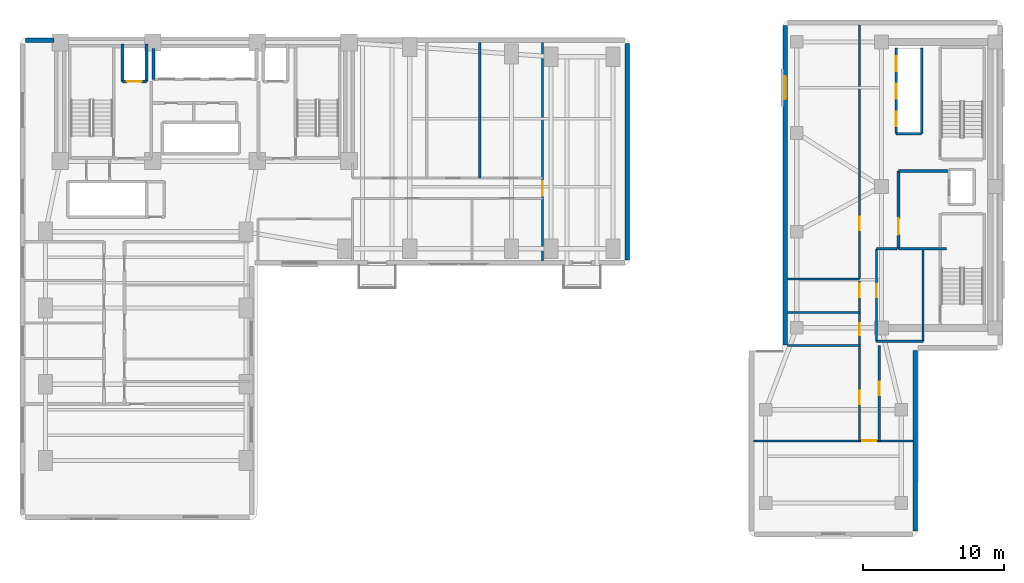
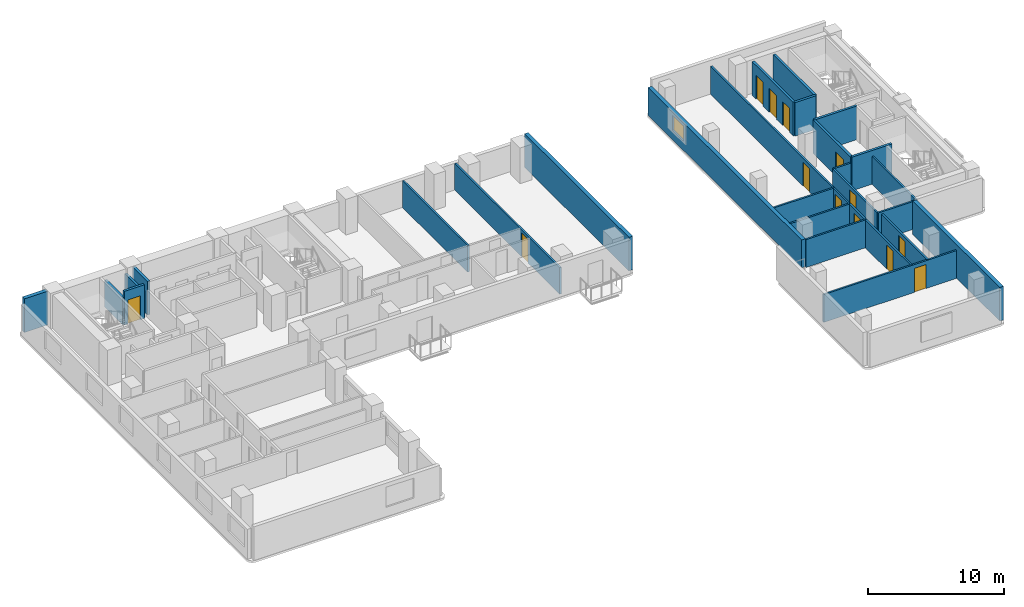
# One storey, part 10 of 14: 27 walls, 13 doors, 1 window, 14 openings.
"""IFC4 building model written with IfcOpenShell, lengths in metres."""

from ifc_helpers import new_model, si_unit, direction, frame, frame_2d, origin, place, context, subcontext, project, spatial, rectangle, extrude, material, layer, layer_set, type_object, element, fill, save


model = new_model("IFC4")

# Units and contexts
model_context = context("Model", 3, precision=1e-05, world=origin(), true_north=direction((0.0, 1.0)))
body_context = subcontext(model_context, "Body", "Model", "MODEL_VIEW")
ifc_project = project(units=[si_unit("LENGTHUNIT", "METRE"), si_unit("AREAUNIT", "SQUARE_METRE"), si_unit("VOLUMEUNIT", "CUBIC_METRE"), si_unit("PLANEANGLEUNIT", "RADIAN"), si_unit("MASSUNIT", "GRAM", prefix="KILO")], contexts=[model_context])

# Site, building, storey
site_placement = place(None, origin())
site = spatial("IfcSite", under=ifc_project, at=site_placement, CompositionType="ELEMENT")
building_placement = place(site_placement, origin())
building = spatial("IfcBuilding", under=site, at=building_placement, Name="Kuzgunbayir Cultural Tower", CompositionType="ELEMENT")
storey_placement = place(building_placement, frame((0.0, 0.0, 62.800048828125)))
storey = spatial("IfcBuildingStorey", under=building, at=storey_placement, Name="L17", CompositionType="ELEMENT", Elevation=62.800048828125)

# Walls
ifc_material_1 = material(Name="Travertine Buff Ashlar", Category="masonry")
ifc_layer_1 = layer(ifc_material_1, 0.320068359375)
ifc_layer_set_1 = layer_set([ifc_layer_1], Name="Travertine Buff Ashlar")
wall_type_1 = type_object("IfcWallType", Name="WAL-EXT-STONE-320", PredefinedType="STANDARD", material=ifc_layer_set_1)
wall_1_placement = place(storey_placement, frame((6.0, 42.35009765625, 0.0), z_axis=(0.0, 0.0, 1.0), x_axis=(-1.0, 0.0, 0.0)))
element("IfcWall", 1, at=wall_1_placement, inside=storey, type_object=wall_type_1, Name="L17 Core North-West Spandrel Link", PredefinedType="STANDARD", context=body_context, shape_type="SweptSolid", body=[
    extrude(rectangle(XDim=2.0, YDim=0.320068359375, at=frame_2d((1.0, 0.0))), origin(), (0.0, 0.0, 1.0), 3.02001953125),
])
wall_2_placement = place(storey_placement, frame((46.60009765625, 26.800048828125, 0.0), z_axis=(0.0, 0.0, 1.0), x_axis=(0.0, 1.0, 0.0)))
element("IfcWall", 2, at=wall_2_placement, inside=storey, type_object=wall_type_1, Name="L17 Wing B East Limestone Wall", PredefinedType="STANDARD", context=body_context, shape_type="SweptSolid", body=[
    extrude(rectangle(XDim=15.349853515625, YDim=0.320068359375, at=frame_2d((7.6748046875, 0.0))), origin(), (0.0, 0.0, 1.0), 3.02001953125),
])

# Wall, opening, window
wall_3_placement = place(storey_placement, frame((57.800048828125, 43.39990234375, 0.0), z_axis=(0.0, 0.0, 1.0), x_axis=(0.0, -1.0, 0.0)))
wall_3 = element("IfcWall", 3, at=wall_3_placement, inside=storey, type_object=wall_type_1, Name="L17 Companion West Limestone Wall", PredefinedType="STANDARD", context=body_context, shape_type="SweptSolid", body=[
    extrude(rectangle(XDim=22.599853515625, YDim=0.320068359375, at=frame_2d((11.2998046875, 0.0))), origin(), (0.0, 0.0, 1.0), 2.5),
])
opening_1_placement = place(wall_3_placement, frame((3.60009765625, 0.0, 0.85009765625)))
opening_1 = element("IfcOpeningElement", 4, at=opening_1_placement, cuts=wall_3, Name="Opening WC-16", PredefinedType="OPENING", context=body_context, shape_type="SweptSolid", body=[
    extrude(rectangle(XDim=1.60009765625, YDim=1.35009765625, at=frame_2d((0.800048828125, 0.675048828125))), frame((0.0, 0.169921875, 0.0), z_axis=(0.0, -1.0, 0.0), x_axis=(1.0, 0.0, 0.0)), (0.0, 0.0, 1.0), 0.340087890625),
])
ifc_material_2 = material(Name="Solar-Control Triple Glazing", Category="glass")
window_type = type_object("IfcWindowType", Name="WIN-COMP-16", PartitioningType="SINGLE_PANEL", PredefinedType="WINDOW", material=ifc_material_2)
window_placement = place(opening_1_placement, origin())
window = element("IfcWindow", 5, at=window_placement, inside=storey, type_object=window_type, Name="L17 Companion West Window 39", OverallHeight=1.35009765625, OverallWidth=1.60009765625, PartitioningType="SINGLE_PANEL", PredefinedType="WINDOW", context=body_context, shape_type="SweptSolid", body=[
    extrude(rectangle(XDim=1.60009765625, YDim=1.35009765625, at=frame_2d((0.800048828125, 0.675048828125))), frame((0.0, 0.030029296875, 0.0), z_axis=(0.0, -1.0, 0.0), x_axis=(1.0, 0.0, 0.0)), (0.0, 0.0, 1.0), 0.06005859375),
])
fill(opening_1, window)

# Wall
wall_4_placement = place(storey_placement, frame((67.0, 7.60009765625, 0.0), z_axis=(0.0, 0.0, 1.0), x_axis=(0.0, 1.0, 0.0)))
element("IfcWall", 6, at=wall_4_placement, inside=storey, type_object=wall_type_1, Name="L17 Companion Wing B East Wall", PredefinedType="STANDARD", context=body_context, shape_type="SweptSolid", body=[
    extrude(rectangle(XDim=12.7998046875, YDim=0.320068359375, at=frame_2d((6.39990234375, 0.0))), origin(), (0.0, 0.0, 1.0), 3.02001953125),
])

# Wall, opening, door
ifc_material_3 = material(Name="Acoustic Double-Stud Drywall", Category="gypsum")
ifc_layer_2 = layer(ifc_material_3, 0.14990234375)
ifc_layer_set_2 = layer_set([ifc_layer_2], Name="Acoustic Double-Stud Drywall")
wall_type_2 = type_object("IfcWallType", Name="WAL-PART-ACOUSTIC-150", PredefinedType="PARTITIONING", material=ifc_layer_set_2)
wall_5_placement = place(storey_placement, frame((40.60009765625, 26.75, 0.0), z_axis=(0.0, 0.0, 1.0), x_axis=(0.0, 1.0, 0.0)))
wall_5 = element("IfcWall", 7, at=wall_5_placement, inside=storey, type_object=wall_type_2, Name="L17 Wing B East Suite Wall", PredefinedType="PARTITIONING", context=body_context, shape_type="SweptSolid", body=[
    extrude(rectangle(XDim=15.449951171875, YDim=0.14990234375, at=frame_2d((7.72509765625, 0.0))), origin(), (0.0, 0.0, 1.0), 2.39990234375),
])
opening_2_placement = place(wall_5_placement, frame((4.6201171875, 0.0, 0.0)))
opening_2 = element("IfcOpeningElement", 8, at=opening_2_placement, cuts=wall_5, Name="Opening DI-100", PredefinedType="OPENING", context=body_context, shape_type="SweptSolid", body=[
    extrude(rectangle(XDim=1.0, YDim=2.14990234375, at=frame_2d((0.5, 1.074951171875))), frame((0.0, 0.0849609375, 0.0), z_axis=(0.0, -1.0, 0.0), x_axis=(1.0, 0.0, 0.0)), (0.0, 0.0, 1.0), 0.169921875),
])
ifc_material_4 = material(Name="Veneered Oak Single Leaf", Category="wood")
door_type_1 = type_object("IfcDoorType", Name="DR-INT-100", OperationType="NOTDEFINED", PredefinedType="DOOR", material=ifc_material_4)
door_1_placement = place(opening_2_placement, origin())
door_1 = element("IfcDoor", 9, at=door_1_placement, inside=storey, type_object=door_type_1, Name="L17 East Conference Hall Door", OperationType="SINGLE_SWING_RIGHT", OverallHeight=2.14990234375, OverallWidth=1.0, PredefinedType="DOOR", context=body_context, shape_type="SweptSolid", body=[
    extrude(rectangle(XDim=1.0, YDim=2.14990234375, at=frame_2d((0.5, 1.074951171875))), frame((0.0, 0.02490234375, 0.0), z_axis=(0.0, -1.0, 0.0), x_axis=(1.0, 0.0, 0.0)), (0.0, 0.0, 1.0), 0.050048828125),
])
fill(opening_2, door_1)

# Wall
wall_6_placement = place(storey_placement, frame((36.159912109375, 32.60009765625, 0.0), z_axis=(0.0, 0.0, 1.0), x_axis=(0.0, 1.0, 0.0)))
element("IfcWall", 10, at=wall_6_placement, inside=storey, type_object=wall_type_2, Name="L17 Wing B North Partition 2", PredefinedType="PARTITIONING", context=body_context, shape_type="SweptSolid", body=[
    extrude(rectangle(XDim=9.599853515625, YDim=0.14990234375, at=frame_2d((4.7998046875, 0.0))), origin(), (0.0, 0.0, 1.0), 2.39990234375),
])

# Wall, opening, door
wall_7_placement = place(storey_placement, frame((64.25, 21.050048828125, 0.0), z_axis=(0.0, 0.0, 1.0), x_axis=(0.0, 1.0, 0.0)))
wall_7 = element("IfcWall", 11, at=wall_7_placement, inside=storey, type_object=wall_type_2, Name="L17 Companion Archive West Wall", PredefinedType="PARTITIONING", context=body_context, shape_type="SweptSolid", body=[
    extrude(rectangle(XDim=6.550048828125, YDim=0.14990234375, at=frame_2d((3.27490234375, 0.0))), origin(), (0.0, 0.0, 1.0), 2.5),
])
opening_3_placement = place(wall_7_placement, frame((3.10009765625, 0.0, 0.0)))
opening_3 = element("IfcOpeningElement", 12, at=opening_3_placement, cuts=wall_7, Name="Opening DI-90", PredefinedType="OPENING", context=body_context, shape_type="SweptSolid", body=[
    extrude(rectangle(XDim=0.949951171875, YDim=2.14990234375, at=frame_2d((0.47509765625, 1.074951171875))), frame((0.0, 0.0849609375, 0.0), z_axis=(0.0, -1.0, 0.0), x_axis=(1.0, 0.0, 0.0)), (0.0, 0.0, 1.0), 0.169921875),
])
door_type_2 = type_object("IfcDoorType", Name="DR-INT-90", OperationType="NOTDEFINED", PredefinedType="DOOR", material=ifc_material_4)
door_2_placement = place(opening_3_placement, origin())
door_2 = element("IfcDoor", 13, at=door_2_placement, inside=storey, type_object=door_type_2, Name="L17 Companion Archive Door", OperationType="SINGLE_SWING_RIGHT", OverallHeight=2.14990234375, OverallWidth=0.949951171875, PredefinedType="DOOR", context=body_context, shape_type="SweptSolid", body=[
    extrude(rectangle(XDim=0.949951171875, YDim=2.14990234375, at=frame_2d((0.47509765625, 1.074951171875))), frame((0.0, 0.02490234375, 0.0), z_axis=(0.0, -1.0, 0.0), x_axis=(1.0, 0.0, 0.0)), (0.0, 0.0, 1.0), 0.050048828125),
])
fill(opening_3, door_2)

# Walls
wall_8_placement = place(storey_placement, frame((67.550048828125, 21.050048828125, 0.0), z_axis=(0.0, 0.0, 1.0), x_axis=(0.0, 1.0, 0.0)))
element("IfcWall", 14, at=wall_8_placement, inside=storey, type_object=wall_type_2, Name="L17 Companion Archive East Wall", PredefinedType="PARTITIONING", context=body_context, shape_type="SweptSolid", body=[
    extrude(rectangle(XDim=6.469970703125, YDim=0.14990234375, at=frame_2d((3.23486328125, 0.0))), origin(), (0.0, 0.0, 1.0), 2.5),
])
wall_9_placement = place(storey_placement, frame((64.25, 21.050048828125, 0.0), z_axis=(0.0, 0.0, 1.0), x_axis=(1.0, 0.0, 0.0)))
element("IfcWall", 15, at=wall_9_placement, inside=storey, type_object=wall_type_2, Name="L17 Companion Archive South Wall", PredefinedType="PARTITIONING", context=body_context, shape_type="SweptSolid", body=[
    extrude(rectangle(XDim=3.300048828125, YDim=0.14990234375, at=frame_2d((1.64990234375, 0.0))), origin(), (0.0, 0.0, 1.0), 2.5),
])
wall_10_placement = place(storey_placement, frame((64.25, 27.60009765625, 0.0), z_axis=(0.0, 0.0, 1.0), x_axis=(1.0, 0.0, 0.0)))
element("IfcWall", 16, at=wall_10_placement, inside=storey, type_object=wall_type_2, Name="L17 Companion Archive North Wall", PredefinedType="PARTITIONING", context=body_context, shape_type="SweptSolid", body=[
    extrude(rectangle(XDim=1.469970703125, YDim=0.14990234375, at=frame_2d((0.73486328125, 0.0))), origin(), (0.0, 0.0, 1.0), 2.5),
])

# Wall, openings, doors
wall_11_placement = place(storey_placement, frame((63.050048828125, 20.75, 0.0), z_axis=(0.0, 0.0, 1.0), x_axis=(0.0, 1.0, 0.0)))
wall_11 = element("IfcWall", 17, at=wall_11_placement, inside=storey, type_object=wall_type_2, Name="L17 Companion Corridor West Wall", PredefinedType="PARTITIONING", context=body_context, shape_type="SweptSolid", body=[
    extrude(rectangle(XDim=22.699951171875, YDim=0.14990234375, at=frame_2d((11.35009765625, 0.0))), origin(), (0.0, 0.0, 1.0), 2.5),
])
opening_4_placement = place(wall_11_placement, frame((0.72998046875, 0.0, 0.0)))
opening_4 = element("IfcOpeningElement", 18, at=opening_4_placement, cuts=wall_11, Name="Opening DW-85", PredefinedType="OPENING", context=body_context, shape_type="SweptSolid", body=[
    extrude(rectangle(XDim=0.85009765625, YDim=2.10009765625, at=frame_2d((0.425048828125, 1.050048828125))), frame((0.0, 0.0849609375, 0.0), z_axis=(0.0, -1.0, 0.0), x_axis=(1.0, 0.0, 0.0)), (0.0, 0.0, 1.0), 0.169921875),
])
opening_5_placement = place(wall_11_placement, frame((3.429931640625, 0.0, 0.0)))
opening_5 = element("IfcOpeningElement", 19, at=opening_5_placement, cuts=wall_11, Name="Opening DW-95", PredefinedType="OPENING", context=body_context, shape_type="SweptSolid", body=[
    extrude(rectangle(XDim=0.949951171875, YDim=2.10009765625, at=frame_2d((0.47509765625, 1.050048828125))), frame((0.0, 0.0849609375, 0.0), z_axis=(0.0, -1.0, 0.0), x_axis=(1.0, 0.0, 0.0)), (0.0, 0.0, 1.0), 0.169921875),
])
opening_6_placement = place(wall_11_placement, frame((8.14990234375, 0.0, 0.0)))
opening_6 = element("IfcOpeningElement", 20, at=opening_6_placement, cuts=wall_11, Name="Opening DI-90", PredefinedType="OPENING", context=body_context, shape_type="SweptSolid", body=[
    extrude(rectangle(XDim=0.949951171875, YDim=2.14990234375, at=frame_2d((0.47509765625, 1.074951171875))), frame((0.0, 0.0849609375, 0.0), z_axis=(0.0, -1.0, 0.0), x_axis=(1.0, 0.0, 0.0)), (0.0, 0.0, 1.0), 0.169921875),
])
door_3_placement = place(opening_6_placement, origin())
door_3 = element("IfcDoor", 21, at=door_3_placement, inside=storey, type_object=door_type_2, Name="L17 Companion Fellows Reading Lounge 1 Door", OperationType="SINGLE_SWING_LEFT", OverallHeight=2.14990234375, OverallWidth=0.949951171875, PredefinedType="DOOR", context=body_context, shape_type="SweptSolid", body=[
    extrude(rectangle(XDim=0.949951171875, YDim=2.14990234375, at=frame_2d((0.47509765625, 1.074951171875))), frame((0.0, 0.02490234375, 0.0), z_axis=(0.0, -1.0, 0.0), x_axis=(1.0, 0.0, 0.0)), (0.0, 0.0, 1.0), 0.050048828125),
])
fill(opening_6, door_3)
ifc_material_5 = material(Name="Laminate Moisture-Resistant Leaf", Category="wood")
door_type_3 = type_object("IfcDoorType", Name="DR-WET-85", OperationType="NOTDEFINED", PredefinedType="DOOR", material=ifc_material_5)
door_4_placement = place(opening_4_placement, origin())
door_4 = element("IfcDoor", 22, at=door_4_placement, inside=storey, type_object=door_type_3, Name="L17 Companion WC Door", OperationType="SINGLE_SWING_LEFT", OverallHeight=2.10009765625, OverallWidth=0.85009765625, PredefinedType="DOOR", context=body_context, shape_type="SweptSolid", body=[
    extrude(rectangle(XDim=0.85009765625, YDim=2.10009765625, at=frame_2d((0.425048828125, 1.050048828125))), frame((0.0, 0.02490234375, 0.0), z_axis=(0.0, -1.0, 0.0), x_axis=(1.0, 0.0, 0.0)), (0.0, 0.0, 1.0), 0.050048828125),
])
fill(opening_4, door_4)
door_type_4 = type_object("IfcDoorType", Name="DR-WET-95", OperationType="NOTDEFINED", PredefinedType="DOOR", material=ifc_material_5)
door_5_placement = place(opening_5_placement, origin())
door_5 = element("IfcDoor", 23, at=door_5_placement, inside=storey, type_object=door_type_4, Name="L17 Companion Accessible WC Door", OperationType="SINGLE_SWING_RIGHT", OverallHeight=2.10009765625, OverallWidth=0.949951171875, PredefinedType="DOOR", context=body_context, shape_type="SweptSolid", body=[
    extrude(rectangle(XDim=0.949951171875, YDim=2.10009765625, at=frame_2d((0.47509765625, 1.050048828125))), frame((0.0, 0.02490234375, 0.0), z_axis=(0.0, -1.0, 0.0), x_axis=(1.0, 0.0, 0.0)), (0.0, 0.0, 1.0), 0.050048828125),
])
fill(opening_5, door_5)

# Wall, opening, door
wall_12_placement = place(storey_placement, frame((63.050048828125, 14.0, 0.0), z_axis=(0.0, 0.0, 1.0), x_axis=(0.0, 1.0, 0.0)))
wall_12 = element("IfcWall", 24, at=wall_12_placement, inside=storey, type_object=wall_type_2, Name="L17 Companion South Corridor West Wall", PredefinedType="PARTITIONING", context=body_context, shape_type="SweptSolid", body=[
    extrude(rectangle(XDim=6.75, YDim=0.14990234375, at=frame_2d((3.375, 0.0))), origin(), (0.0, 0.0, 1.0), 2.5),
])
opening_7_placement = place(wall_12_placement, frame((2.60009765625, 0.0, 0.0)))
opening_7 = element("IfcOpeningElement", 25, at=opening_7_placement, cuts=wall_12, Name="Opening DI-90", PredefinedType="OPENING", context=body_context, shape_type="SweptSolid", body=[
    extrude(rectangle(XDim=0.949951171875, YDim=2.14990234375, at=frame_2d((0.47509765625, 1.074951171875))), frame((0.0, 0.0849609375, 0.0), z_axis=(0.0, -1.0, 0.0), x_axis=(1.0, 0.0, 0.0)), (0.0, 0.0, 1.0), 0.169921875),
])
door_6_placement = place(opening_7_placement, origin())
door_6 = element("IfcDoor", 26, at=door_6_placement, inside=storey, type_object=door_type_2, Name="L17 Companion West Atelier Door", OperationType="SINGLE_SWING_RIGHT", OverallHeight=2.14990234375, OverallWidth=0.949951171875, PredefinedType="DOOR", context=body_context, shape_type="SweptSolid", body=[
    extrude(rectangle(XDim=0.949951171875, YDim=2.14990234375, at=frame_2d((0.47509765625, 1.074951171875))), frame((0.0, 0.02490234375, 0.0), z_axis=(0.0, -1.0, 0.0), x_axis=(1.0, 0.0, 0.0)), (0.0, 0.0, 1.0), 0.050048828125),
])
fill(opening_7, door_6)

wall_13_placement = place(storey_placement, frame((55.550048828125, 14.0, 0.0), z_axis=(0.0, 0.0, 1.0), x_axis=(1.0, 0.0, 0.0)))
wall_13 = element("IfcWall", 27, at=wall_13_placement, inside=storey, type_object=wall_type_2, Name="L17 Companion South Gallery Wall", PredefinedType="PARTITIONING", context=body_context, shape_type="SweptSolid", body=[
    extrude(rectangle(XDim=11.300048828125, YDim=0.14990234375, at=frame_2d((5.64990234375, 0.0))), origin(), (0.0, 0.0, 1.0), 2.5),
])
opening_8_placement = place(wall_13_placement, frame((7.699951171875, 0.0, 0.0)))
opening_8 = element("IfcOpeningElement", 28, at=opening_8_placement, cuts=wall_13, Name="Opening DI-100", PredefinedType="OPENING", context=body_context, shape_type="SweptSolid", body=[
    extrude(rectangle(XDim=1.0, YDim=2.14990234375, at=frame_2d((0.5, 1.074951171875))), frame((0.0, 0.0849609375, 0.0), z_axis=(0.0, -1.0, 0.0), x_axis=(1.0, 0.0, 0.0)), (0.0, 0.0, 1.0), 0.169921875),
])
door_7_placement = place(opening_8_placement, origin())
door_7 = element("IfcDoor", 29, at=door_7_placement, inside=storey, type_object=door_type_1, Name="L17 Companion South Salon Door", OperationType="SINGLE_SWING_RIGHT", OverallHeight=2.14990234375, OverallWidth=1.0, PredefinedType="DOOR", context=body_context, shape_type="SweptSolid", body=[
    extrude(rectangle(XDim=1.0, YDim=2.14990234375, at=frame_2d((0.5, 1.074951171875))), frame((0.0, 0.02490234375, 0.0), z_axis=(0.0, -1.0, 0.0), x_axis=(1.0, 0.0, 0.0)), (0.0, 0.0, 1.0), 0.050048828125),
])
fill(opening_8, door_7)

wall_14_placement = place(storey_placement, frame((64.449951171875, 14.0, 0.0), z_axis=(0.0, 0.0, 1.0), x_axis=(0.0, 1.0, 0.0)))
wall_14 = element("IfcWall", 30, at=wall_14_placement, inside=storey, type_object=wall_type_2, Name="L17 Companion South Corridor East Wall", PredefinedType="PARTITIONING", context=body_context, shape_type="SweptSolid", body=[
    extrude(rectangle(XDim=6.75, YDim=0.14990234375, at=frame_2d((3.375, 0.0))), origin(), (0.0, 0.0, 1.0), 2.5),
])
opening_9_placement = place(wall_14_placement, frame((3.239990234375, 0.0, 0.0)))
opening_9 = element("IfcOpeningElement", 31, at=opening_9_placement, cuts=wall_14, Name="Opening DI-90", PredefinedType="OPENING", context=body_context, shape_type="SweptSolid", body=[
    extrude(rectangle(XDim=0.949951171875, YDim=2.14990234375, at=frame_2d((0.47509765625, 1.074951171875))), frame((0.0, 0.0849609375, 0.0), z_axis=(0.0, -1.0, 0.0), x_axis=(1.0, 0.0, 0.0)), (0.0, 0.0, 1.0), 0.169921875),
])
door_8_placement = place(opening_9_placement, origin())
door_8 = element("IfcDoor", 32, at=door_8_placement, inside=storey, type_object=door_type_2, Name="L17 Companion East Studio Door", OperationType="SINGLE_SWING_LEFT", OverallHeight=2.14990234375, OverallWidth=0.949951171875, PredefinedType="DOOR", context=body_context, shape_type="SweptSolid", body=[
    extrude(rectangle(XDim=0.949951171875, YDim=2.14990234375, at=frame_2d((0.47509765625, 1.074951171875))), frame((0.0, 0.02490234375, 0.0), z_axis=(0.0, -1.0, 0.0), x_axis=(1.0, 0.0, 0.0)), (0.0, 0.0, 1.0), 0.050048828125),
])
fill(opening_9, door_8)

ifc_material_6 = material(Name="Aerated Concrete Blockwork", Category="masonry")
ifc_layer_3 = layer(ifc_material_6, 0.199951171875)
ifc_layer_set_3 = layer_set([ifc_layer_3], Name="Aerated Concrete Blockwork")
wall_type_3 = type_object("IfcWallType", Name="WAL-PART-FIRE-200", PredefinedType="PARTITIONING", material=ifc_layer_set_3)
wall_15_placement = place(storey_placement, frame((65.800048828125, 27.60009765625, 0.0), z_axis=(0.0, 0.0, 1.0), x_axis=(0.0, 1.0, 0.0)))
wall_15 = element("IfcWall", 33, at=wall_15_placement, inside=storey, type_object=wall_type_3, Name="L17 FFL-3 Lobby West Fire Wall", PredefinedType="PARTITIONING", context=body_context, shape_type="SweptSolid", body=[
    extrude(rectangle(XDim=5.5, YDim=0.199951171875, at=frame_2d((2.75, 0.0))), origin(), (0.0, 0.0, 1.0), 3.02001953125),
])
opening_10_placement = place(wall_15_placement, frame((1.0, 0.0, 0.0)))
opening_10 = element("IfcOpeningElement", 34, at=opening_10_placement, cuts=wall_15, Name="Opening DR-FFL-90", PredefinedType="OPENING", context=body_context, shape_type="SweptSolid", body=[
    extrude(rectangle(XDim=1.14990234375, YDim=2.14990234375, at=frame_2d((0.574951171875, 1.074951171875))), frame((0.0, 0.10986328125, 0.0), z_axis=(0.0, -1.0, 0.0), x_axis=(1.0, 0.0, 0.0)), (0.0, 0.0, 1.0), 0.219970703125),
])
ifc_material_7 = material(Name="Steel S355J2", Category="steel")
door_type_5 = type_object("IfcDoorType", Name="DR-FFL-90", OperationType="NOTDEFINED", PredefinedType="DOOR", material=ifc_material_7)
door_9_placement = place(opening_10_placement, origin())
door_9 = element("IfcDoor", 35, at=door_9_placement, inside=storey, type_object=door_type_5, Name="L17 Firefighting Lobby 3 Door", OperationType="SINGLE_SWING_RIGHT", OverallHeight=2.14990234375, OverallWidth=1.14990234375, PredefinedType="DOOR", context=body_context, shape_type="SweptSolid", body=[
    extrude(rectangle(XDim=1.14990234375, YDim=2.14990234375, at=frame_2d((0.574951171875, 1.074951171875))), frame((0.0, 0.02490234375, 0.0), z_axis=(0.0, -1.0, 0.0), x_axis=(1.0, 0.0, 0.0)), (0.0, 0.0, 1.0), 0.050048828125),
])
fill(opening_10, door_9)

# Walls
wall_16_placement = place(storey_placement, frame((65.800048828125, 33.10009765625, 0.0), z_axis=(0.0, 0.0, 1.0), x_axis=(1.0, 0.0, 0.0)))
element("IfcWall", 36, at=wall_16_placement, inside=storey, type_object=wall_type_3, Name="L17 FFL-3 Lobby North Fire Wall", PredefinedType="PARTITIONING", context=body_context, shape_type="SweptSolid", body=[
    extrude(rectangle(XDim=3.599853515625, YDim=0.199951171875, at=frame_2d((1.7998046875, 0.0))), origin(), (0.0, 0.0, 1.0), 3.02001953125),
])
wall_17_placement = place(storey_placement, frame((65.800048828125, 27.60009765625, 0.0), z_axis=(0.0, 0.0, 1.0), x_axis=(1.0, 0.0, 0.0)))
element("IfcWall", 37, at=wall_17_placement, inside=storey, type_object=wall_type_3, Name="L17 FFL-3 Lobby South Fire Wall", PredefinedType="PARTITIONING", context=body_context, shape_type="SweptSolid", body=[
    extrude(rectangle(XDim=3.39990234375, YDim=0.199951171875, at=frame_2d((1.699951171875, 0.0))), origin(), (0.0, 0.0, 1.0), 3.02001953125),
])
ifc_material_8 = material(Name="Moisture-Resistant Tile Partition", Category="gypsum")
ifc_layer_4 = layer(ifc_material_8, 0.14990234375)
ifc_layer_set_4 = layer_set([ifc_layer_4], Name="Moisture-Resistant Tile Partition")
wall_type_4 = type_object("IfcWallType", Name="WAL-PART-WET-150", PredefinedType="PARTITIONING", material=ifc_layer_set_4)
for number, where, z_axis, x_axis, name in (
    (38, (57.949951171875, 20.75, 0.0), (0.0, 0.0, 1.0), (1.0, 0.0, 0.0), "L17 Companion WC South Wall"),
    (39, (57.949951171875, 23.10009765625, 0.0), (0.0, 0.0, 1.0), (1.0, 0.0, 0.0), "L17 Companion WC North Wall"),
    (40, (57.949951171875, 25.449951171875, 0.0), (0.0, 0.0, 1.0), (1.0, 0.0, 0.0), "L17 Companion Accessible WC Wall"),
):
    element("IfcWall", number, at=place(storey_placement, frame(where, z_axis=z_axis, x_axis=x_axis)), inside=storey, type_object=wall_type_4, Name=name, PredefinedType="PARTITIONING", context=body_context, shape_type="SweptSolid", body=[
        extrude(rectangle(XDim=5.10009765625, YDim=0.14990234375, at=frame_2d((2.550048828125, 0.0))), origin(), (0.0, 0.0, 1.0), 2.5),
    ])

# Wall, opening, door
ifc_material_9 = material(Name="Concrete C40/50", Category="concrete")
ifc_layer_5 = layer(ifc_material_9, 0.199951171875)
ifc_layer_set_5 = layer_set([ifc_layer_5], Name="Concrete C40/50")
wall_type_5 = type_object("IfcWallType", Name="WAL-SHAFT-200", PredefinedType="MOVABLE", material=ifc_layer_set_5)
wall_18_placement = place(storey_placement, frame((10.85009765625, 39.449951171875, 0.0), z_axis=(0.0, 0.0, 1.0), x_axis=(1.0, 0.0, 0.0)))
wall_18 = element("IfcWall", 41, at=wall_18_placement, inside=storey, type_object=wall_type_5, Name="L17 FFL-1 Lift Front Wall", PredefinedType="MOVABLE", context=body_context, shape_type="SweptSolid", body=[
    extrude(rectangle(XDim=1.699951171875, YDim=0.199951171875, at=frame_2d((0.85009765625, 0.0))), origin(), (0.0, 0.0, 1.0), 3.02001953125),
])
opening_11_placement = place(wall_18_placement, frame((0.320068359375, 0.0, 0.0)))
opening_11 = element("IfcOpeningElement", 42, at=opening_11_placement, cuts=wall_18, Name="Opening LD", PredefinedType="OPENING", context=body_context, shape_type="SweptSolid", body=[
    extrude(rectangle(XDim=1.050048828125, YDim=2.14990234375, at=frame_2d((0.52490234375, 1.074951171875))), frame((0.0, 0.10986328125, 0.0), z_axis=(0.0, -1.0, 0.0), x_axis=(1.0, 0.0, 0.0)), (0.0, 0.0, 1.0), 0.219970703125),
])
ifc_material_10 = material(Name="Brushed Stainless Steel", Category="steel")
door_type_6 = type_object("IfcDoorType", Name="DR-LIFT-LANDING", OperationType="SLIDING_TO_LEFT", PredefinedType="DOOR", material=ifc_material_10)
door_10_placement = place(opening_11_placement, origin())
door_10 = element("IfcDoor", 43, at=door_10_placement, inside=storey, type_object=door_type_6, Name="L17 Lift FFL-1 Landing Door", OperationType="SLIDING_TO_LEFT", OverallHeight=2.14990234375, OverallWidth=1.050048828125, PredefinedType="DOOR", context=body_context, shape_type="SweptSolid", body=[
    extrude(rectangle(XDim=1.050048828125, YDim=2.14990234375, at=frame_2d((0.52490234375, 1.074951171875))), frame((0.0, 0.02490234375, 0.0), z_axis=(0.0, -1.0, 0.0), x_axis=(1.0, 0.0, 0.0)), (0.0, 0.0, 1.0), 0.050048828125),
])
fill(opening_11, door_10)

# Walls
for number, where, z_axis, x_axis, name in (
    (44, (10.85009765625, 39.449951171875, 0.0), (0.0, 0.0, 1.0), (0.0, 1.0, 0.0), "L17 FFL-1 Shaft West Wall"),
    (45, (12.550048828125, 39.449951171875, 0.0), (0.0, 0.0, 1.0), (0.0, 1.0, 0.0), "L17 FFL-1 Shaft East Wall"),
):
    element("IfcWall", number, at=place(storey_placement, frame(where, z_axis=z_axis, x_axis=x_axis)), inside=storey, type_object=wall_type_5, Name=name, PredefinedType="MOVABLE", context=body_context, shape_type="SweptSolid", body=[
        extrude(rectangle(XDim=2.650146484375, YDim=0.199951171875, at=frame_2d((1.3251953125, 0.0))), origin(), (0.0, 0.0, 1.0), 2.39990234375),
    ])
wall_19_placement = place(storey_placement, frame((13.050048828125, 39.60009765625, 0.0), z_axis=(0.0, 0.0, 1.0), x_axis=(0.0, 1.0, 0.0)))
element("IfcWall", 46, at=wall_19_placement, inside=storey, type_object=wall_type_5, Name="L17 Low-Rise Lift Shaft West Wall", PredefinedType="MOVABLE", context=body_context, shape_type="SweptSolid", body=[
    extrude(rectangle(XDim=2.179931640625, YDim=0.199951171875, at=frame_2d((1.08984375, 0.0))), origin(), (0.0, 0.0, 1.0), 3.02001953125),
])

# Wall, openings, doors
wall_20_placement = place(storey_placement, frame((65.64990234375, 35.75, 0.0), z_axis=(0.0, 0.0, 1.0), x_axis=(0.0, 1.0, 0.0)))
wall_20 = element("IfcWall", 47, at=wall_20_placement, inside=storey, type_object=wall_type_5, Name="L17 Companion Lift Front Wall", PredefinedType="MOVABLE", context=body_context, shape_type="SweptSolid", body=[
    extrude(rectangle(XDim=6.050048828125, YDim=0.199951171875, at=frame_2d((3.02490234375, 0.0))), origin(), (0.0, 0.0, 1.0), 3.02001953125),
])
opening_12_placement = place(wall_20_placement, frame((0.52001953125, 0.0, 0.0)))
opening_12 = element("IfcOpeningElement", 48, at=opening_12_placement, cuts=wall_20, Name="Opening LD", PredefinedType="OPENING", context=body_context, shape_type="SweptSolid", body=[
    extrude(rectangle(XDim=1.050048828125, YDim=2.14990234375, at=frame_2d((0.52490234375, 1.074951171875))), frame((0.0, 0.10986328125, 0.0), z_axis=(0.0, -1.0, 0.0), x_axis=(1.0, 0.0, 0.0)), (0.0, 0.0, 1.0), 0.219970703125),
])
opening_13_placement = place(wall_20_placement, frame((2.47998046875, 0.0, 0.0)))
opening_13 = element("IfcOpeningElement", 49, at=opening_13_placement, cuts=wall_20, Name="Opening LD", PredefinedType="OPENING", context=body_context, shape_type="SweptSolid", body=[
    extrude(rectangle(XDim=1.050048828125, YDim=2.14990234375, at=frame_2d((0.52490234375, 1.074951171875))), frame((0.0, 0.10986328125, 0.0), z_axis=(0.0, -1.0, 0.0), x_axis=(1.0, 0.0, 0.0)), (0.0, 0.0, 1.0), 0.219970703125),
])
opening_14_placement = place(wall_20_placement, frame((4.429931640625, 0.0, 0.0)))
opening_14 = element("IfcOpeningElement", 50, at=opening_14_placement, cuts=wall_20, Name="Opening LD", PredefinedType="OPENING", context=body_context, shape_type="SweptSolid", body=[
    extrude(rectangle(XDim=1.050048828125, YDim=2.14990234375, at=frame_2d((0.52490234375, 1.074951171875))), frame((0.0, 0.10986328125, 0.0), z_axis=(0.0, -1.0, 0.0), x_axis=(1.0, 0.0, 0.0)), (0.0, 0.0, 1.0), 0.219970703125),
])
door_11_placement = place(opening_12_placement, origin())
door_11 = element("IfcDoor", 51, at=door_11_placement, inside=storey, type_object=door_type_6, Name="L17 Lift PC-1 Landing Door", OperationType="SLIDING_TO_LEFT", OverallHeight=2.14990234375, OverallWidth=1.050048828125, PredefinedType="DOOR", context=body_context, shape_type="SweptSolid", body=[
    extrude(rectangle(XDim=1.050048828125, YDim=2.14990234375, at=frame_2d((0.52490234375, 1.074951171875))), frame((0.0, 0.02490234375, 0.0), z_axis=(0.0, -1.0, 0.0), x_axis=(1.0, 0.0, 0.0)), (0.0, 0.0, 1.0), 0.050048828125),
])
fill(opening_12, door_11)
door_12_placement = place(opening_13_placement, origin())
door_12 = element("IfcDoor", 52, at=door_12_placement, inside=storey, type_object=door_type_6, Name="L17 Lift PC-2 Landing Door", OperationType="SLIDING_TO_LEFT", OverallHeight=2.14990234375, OverallWidth=1.050048828125, PredefinedType="DOOR", context=body_context, shape_type="SweptSolid", body=[
    extrude(rectangle(XDim=1.050048828125, YDim=2.14990234375, at=frame_2d((0.52490234375, 1.074951171875))), frame((0.0, 0.02490234375, 0.0), z_axis=(0.0, -1.0, 0.0), x_axis=(1.0, 0.0, 0.0)), (0.0, 0.0, 1.0), 0.050048828125),
])
fill(opening_13, door_12)
door_13_placement = place(opening_14_placement, origin())
door_13 = element("IfcDoor", 53, at=door_13_placement, inside=storey, type_object=door_type_6, Name="L17 Lift PC-3 Landing Door", OperationType="SLIDING_TO_LEFT", OverallHeight=2.14990234375, OverallWidth=1.050048828125, PredefinedType="DOOR", context=body_context, shape_type="SweptSolid", body=[
    extrude(rectangle(XDim=1.050048828125, YDim=2.14990234375, at=frame_2d((0.52490234375, 1.074951171875))), frame((0.0, 0.02490234375, 0.0), z_axis=(0.0, -1.0, 0.0), x_axis=(1.0, 0.0, 0.0)), (0.0, 0.0, 1.0), 0.050048828125),
])
fill(opening_14, door_13)

# Walls
wall_21_placement = place(storey_placement, frame((67.449951171875, 35.75, 0.0), z_axis=(0.0, 0.0, 1.0), x_axis=(0.0, 1.0, 0.0)))
element("IfcWall", 54, at=wall_21_placement, inside=storey, type_object=wall_type_5, Name="L17 Companion Lift Shaft Back Wall", PredefinedType="MOVABLE", context=body_context, shape_type="SweptSolid", body=[
    extrude(rectangle(XDim=6.050048828125, YDim=0.199951171875, at=frame_2d((3.02490234375, 0.0))), origin(), (0.0, 0.0, 1.0), 3.02001953125),
])
wall_22_placement = place(storey_placement, frame((65.64990234375, 35.75, 0.0), z_axis=(0.0, 0.0, 1.0), x_axis=(1.0, 0.0, 0.0)))
element("IfcWall", 55, at=wall_22_placement, inside=storey, type_object=wall_type_5, Name="L17 Companion Lift Shaft South Wall", PredefinedType="MOVABLE", context=body_context, shape_type="SweptSolid", body=[
    extrude(rectangle(XDim=1.800048828125, YDim=0.199951171875, at=frame_2d((0.89990234375, 0.0))), origin(), (0.0, 0.0, 1.0), 3.02001953125),
])

save(model, "model.ifc")
